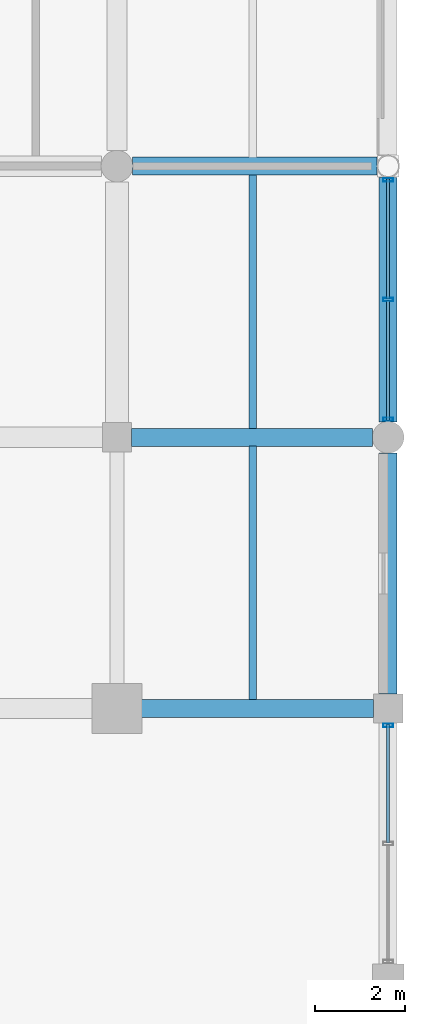
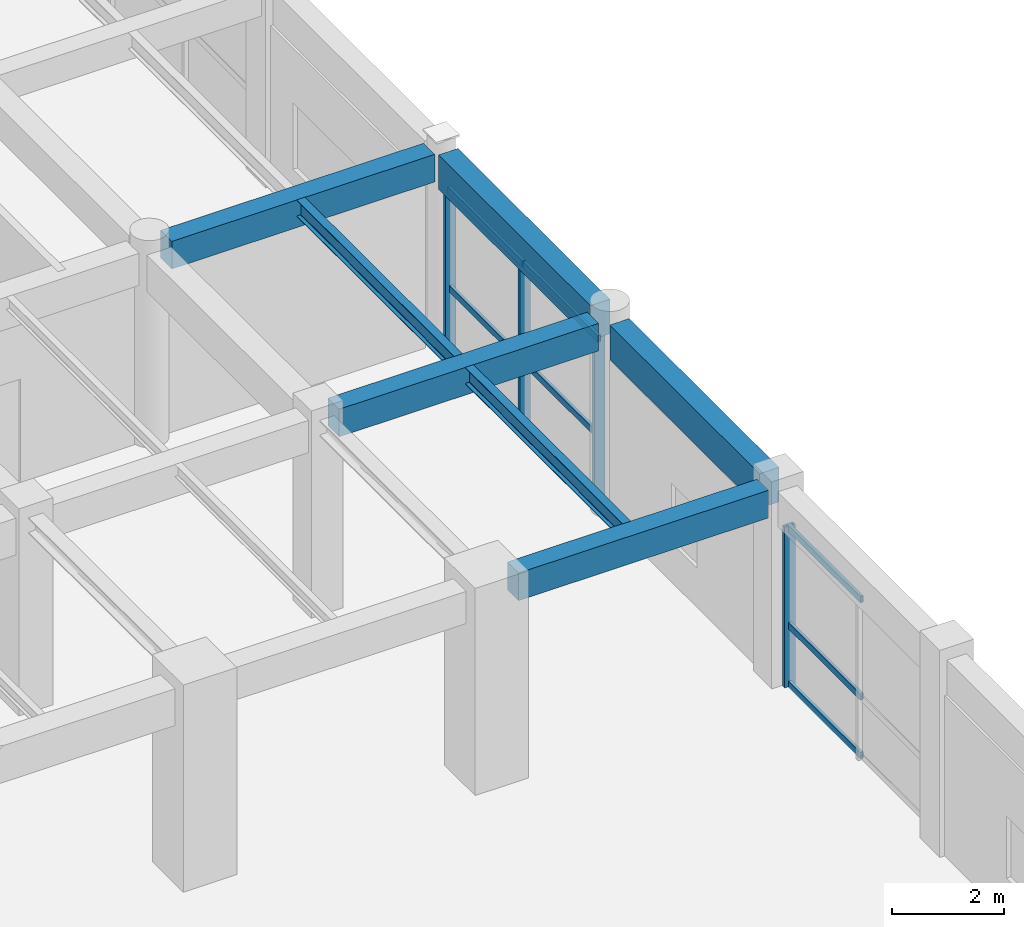
# One storey, part 64 of 116: 13 members, 7 beams, 2 elements without a shape of their own.
"""IFC4 building model written with IfcOpenShell, lengths in metres."""

from ifc_helpers import new_model, si_unit, direction, frame, origin, origin_2d, place, context, subcontext, project, spatial, rectangle, hollow_rectangle, i_section, extrude, material, material_profile, profile_set, type_object, element, aggregate, save


model = new_model("IFC4")

# Units and contexts
model_context = context("Model", 3, precision=1e-05, world=origin(), true_north=direction((0.0, 1.0)))
body_context = subcontext(model_context, "Body", "Model", "MODEL_VIEW")
ifc_project = project(units=[si_unit("LENGTHUNIT", "METRE"), si_unit("AREAUNIT", "SQUARE_METRE"), si_unit("VOLUMEUNIT", "CUBIC_METRE"), si_unit("PLANEANGLEUNIT", "RADIAN"), si_unit("MASSUNIT", "GRAM", prefix="KILO"), si_unit("THERMODYNAMICTEMPERATUREUNIT", "KELVIN"), si_unit("POWERUNIT", "WATT")], contexts=[model_context])

# Site, building, storey
site_placement = place(None, origin())
site = spatial("IfcSite", under=ifc_project, at=site_placement, CompositionType="ELEMENT")
building_placement = place(site_placement, origin())
building = spatial("IfcBuilding", under=site, at=building_placement, Name="Phaisarnlok Congress Hotel", CompositionType="ELEMENT")
storey_placement = place(building_placement, frame((0.0, 0.0, 10.5)))
storey = spatial("IfcBuildingStorey", under=building, at=storey_placement, Name="L02", CompositionType="ELEMENT", Elevation=10.5)

# Beams
ifc_material_1 = material(Name="Concrete C40/50", Category="concrete")
ifc_material_profile_1 = material_profile(ifc_material_1, rectangle(XDim=0.39990234375, YDim=0.60009765625, at=origin_2d()), Name="RC 400x600")
ifc_profile_set_1 = profile_set([ifc_material_profile_1], Name="Concrete C40/50")
beam_type_1 = type_object("IfcBeamType", Name="BM-RC-400x600", PredefinedType="BEAM", material=ifc_profile_set_1)
beam_1_placement = place(storey_placement, frame((174.544921875, 66.0, 3.93994140625), z_axis=(1.0, 0.0, 0.0), x_axis=(0.0, 1.0, 0.0)))
element("IfcBeam", 1, at=beam_1_placement, inside=storey, type_object=beam_type_1, Name="Beam B-02", PredefinedType="BEAM", context=body_context, shape_type="SweptSolid", body=[
    extrude(rectangle(XDim=0.39990234375, YDim=0.60009765625, at=origin_2d()), origin(), (0.0, 0.0, 1.0), 5.135009765625),
])
beam_2_placement = place(storey_placement, frame((174.320068359375, 72.0, 3.93994140625), z_axis=(1.0, 0.0, 0.0), x_axis=(0.0, 1.0, 0.0)))
element("IfcBeam", 2, at=beam_2_placement, inside=storey, type_object=beam_type_1, Name="Beam B-02", PredefinedType="BEAM", context=body_context, shape_type="SweptSolid", body=[
    extrude(rectangle(XDim=0.39990234375, YDim=0.60009765625, at=origin_2d()), origin(), (0.0, 0.0, 1.0), 5.3349609375),
])
beam_3_placement = place(storey_placement, frame((174.344970703125, 78.0, 3.93994140625), z_axis=(1.0, 0.0, 0.0), x_axis=(0.0, 1.0, 0.0)))
element("IfcBeam", 3, at=beam_3_placement, inside=storey, type_object=beam_type_1, Name="Beam B-02", PredefinedType="BEAM", context=body_context, shape_type="SweptSolid", body=[
    extrude(rectangle(XDim=0.39990234375, YDim=0.60009765625, at=origin_2d()), origin(), (0.0, 0.0, 1.0), 5.406005859375),
])

# Curtain wall, member
ifc_material_2 = material(Name="Thermally Broken Unitised Aluminium & Low-E Glazing", Category="aluminium")
curtain_wall_type_1 = type_object("IfcCurtainWallType", Name="CW-UNIT-16", PredefinedType="NOTDEFINED", material=ifc_material_2)
curtain_wall_1_placement = place(storey_placement, origin())
curtain_wall_1 = element("IfcCurtainWall", 4, at=curtain_wall_1_placement, inside=storey, type_object=curtain_wall_type_1, Name="Unitised curtain wall CW-16 (L02)", PredefinedType="NOTDEFINED")
ifc_material_3 = material(Name="Anodised Aluminium Alloy 6063-T6", Category="aluminium")
ifc_material_profile_2 = material_profile(ifc_material_3, hollow_rectangle(XDim=0.074951171875, YDim=0.219970703125, WallThickness=0.0048828125, at=origin_2d()), Name="ALU-M 75x220x5")
ifc_profile_set_2 = profile_set([ifc_material_profile_2], Name="Anodised Aluminium Alloy 6063-T6")
member_type_1 = type_object("IfcMemberType", Name="CWM-220", PredefinedType="MULLION", material=ifc_profile_set_2)
member_1_placement = place(storey_placement, frame((180.0, 65.625, 0.0), z_axis=(0.0, 0.0, 1.0), x_axis=(0.0, 1.0, 0.0)))
member_1 = element("IfcMember", 5, at=member_1_placement, type_object=member_type_1, Name="Curtain wall mullion CWM-02", PredefinedType="MULLION", context=body_context, shape_type="SweptSolid", body=[
    extrude(hollow_rectangle(XDim=0.074951171875, YDim=0.219970703125, WallThickness=0.0048828125, at=origin_2d()), origin(), (0.0, 0.0, 1.0), 3.489990234375),
])

# Curtain wall, members
curtain_wall_type_2 = type_object("IfcCurtainWallType", Name="CW-UNIT-17", PredefinedType="NOTDEFINED", material=ifc_material_2)
curtain_wall_2_placement = place(storey_placement, origin())
curtain_wall_2 = element("IfcCurtainWall", 6, at=curtain_wall_2_placement, inside=storey, type_object=curtain_wall_type_2, Name="Unitised curtain wall CW-17 (L02)", PredefinedType="NOTDEFINED")
member_2_placement = place(storey_placement, frame((180.0, 72.39990234375, 0.0), z_axis=(0.0, 0.0, 1.0), x_axis=(0.0, 1.0, 0.0)))
member_2 = element("IfcMember", 7, at=member_2_placement, type_object=member_type_1, Name="Curtain wall mullion CWM-02", PredefinedType="MULLION", context=body_context, shape_type="SweptSolid", body=[
    extrude(hollow_rectangle(XDim=0.074951171875, YDim=0.219970703125, WallThickness=0.0048828125, at=origin_2d()), origin(), (0.0, 0.0, 1.0), 3.489990234375),
])
member_3_placement = place(storey_placement, frame((180.0, 75.048095703125, 0.0), z_axis=(0.0, 0.0, 1.0), x_axis=(0.0, 1.0, 0.0)))
member_3 = element("IfcMember", 8, at=member_3_placement, type_object=member_type_1, Name="Curtain wall mullion CWM-02", PredefinedType="MULLION", context=body_context, shape_type="SweptSolid", body=[
    extrude(hollow_rectangle(XDim=0.074951171875, YDim=0.219970703125, WallThickness=0.0048828125, at=origin_2d()), origin(), (0.0, 0.0, 1.0), 3.489990234375),
])
member_4_placement = place(storey_placement, frame((180.0, 77.696044921875, 0.0), z_axis=(0.0, 0.0, 1.0), x_axis=(0.0, 1.0, 0.0)))
member_4 = element("IfcMember", 9, at=member_4_placement, type_object=member_type_1, Name="Curtain wall mullion CWM-02", PredefinedType="MULLION", context=body_context, shape_type="SweptSolid", body=[
    extrude(hollow_rectangle(XDim=0.074951171875, YDim=0.219970703125, WallThickness=0.0048828125, at=origin_2d()), origin(), (0.0, 0.0, 1.0), 3.489990234375),
])

# Member
ifc_material_profile_3 = material_profile(ifc_material_3, hollow_rectangle(XDim=0.06494140625, YDim=0.139892578125, WallThickness=0.00390625, at=origin_2d()), Name="ALU-T 65x140x4")
ifc_profile_set_3 = profile_set([ifc_material_profile_3], Name="Anodised Aluminium Alloy 6063-T6")
member_type_2 = type_object("IfcMemberType", Name="CWT-150", PredefinedType="USERDEFINED", material=ifc_profile_set_3)
member_5_placement = place(storey_placement, frame((180.0, 63.027587890625, 0.050048828125), z_axis=(0.0, 1.0, 0.0), x_axis=(-1.0, 0.0, 0.0)))
member_5 = element("IfcMember", 10, at=member_5_placement, type_object=member_type_2, Name="Curtain wall transom CWT-01", ObjectType="TRANSOM", PredefinedType="USERDEFINED", context=body_context, shape_type="SweptSolid", body=[
    extrude(hollow_rectangle(XDim=0.06494140625, YDim=0.139892578125, WallThickness=0.00390625, at=origin_2d()), origin(), (0.0, 0.0, 1.0), 2.622314453125),
])

member_6_placement = place(storey_placement, frame((180.0, 63.027587890625, 1.326171875), z_axis=(0.0, 1.0, 0.0), x_axis=(-1.0, 0.0, 0.0)))
member_6 = element("IfcMember", 11, at=member_6_placement, type_object=member_type_2, Name="Curtain wall transom CWT-01", ObjectType="TRANSOM", PredefinedType="USERDEFINED", context=body_context, shape_type="SweptSolid", body=[
    extrude(hollow_rectangle(XDim=0.06494140625, YDim=0.139892578125, WallThickness=0.00390625, at=origin_2d()), origin(), (0.0, 0.0, 1.0), 2.622314453125),
])

member_7_placement = place(storey_placement, frame((180.0, 63.027587890625, 3.43994140625), z_axis=(0.0, 1.0, 0.0), x_axis=(-1.0, 0.0, 0.0)))
member_7 = element("IfcMember", 12, at=member_7_placement, type_object=member_type_2, Name="Curtain wall transom CWT-01", ObjectType="TRANSOM", PredefinedType="USERDEFINED", context=body_context, shape_type="SweptSolid", body=[
    extrude(hollow_rectangle(XDim=0.06494140625, YDim=0.139892578125, WallThickness=0.00390625, at=origin_2d()), origin(), (0.0, 0.0, 1.0), 2.622314453125),
])

aggregate(curtain_wall_1, [member_1, member_5, member_6, member_7])

member_8_placement = place(storey_placement, frame((180.0, 72.375, 0.050048828125), z_axis=(0.0, 1.0, 0.0), x_axis=(-1.0, 0.0, 0.0)))
member_8 = element("IfcMember", 13, at=member_8_placement, type_object=member_type_2, Name="Curtain wall transom CWT-01", ObjectType="TRANSOM", PredefinedType="USERDEFINED", context=body_context, shape_type="SweptSolid", body=[
    extrude(hollow_rectangle(XDim=0.06494140625, YDim=0.139892578125, WallThickness=0.00390625, at=origin_2d()), origin(), (0.0, 0.0, 1.0), 2.657958984375),
])

member_9_placement = place(storey_placement, frame((180.0, 72.375, 1.326171875), z_axis=(0.0, 1.0, 0.0), x_axis=(-1.0, 0.0, 0.0)))
member_9 = element("IfcMember", 14, at=member_9_placement, type_object=member_type_2, Name="Curtain wall transom CWT-01", ObjectType="TRANSOM", PredefinedType="USERDEFINED", context=body_context, shape_type="SweptSolid", body=[
    extrude(hollow_rectangle(XDim=0.06494140625, YDim=0.139892578125, WallThickness=0.00390625, at=origin_2d()), origin(), (0.0, 0.0, 1.0), 2.657958984375),
])

member_10_placement = place(storey_placement, frame((180.0, 72.375, 3.43994140625), z_axis=(0.0, 1.0, 0.0), x_axis=(-1.0, 0.0, 0.0)))
member_10 = element("IfcMember", 15, at=member_10_placement, type_object=member_type_2, Name="Curtain wall transom CWT-01", ObjectType="TRANSOM", PredefinedType="USERDEFINED", context=body_context, shape_type="SweptSolid", body=[
    extrude(hollow_rectangle(XDim=0.06494140625, YDim=0.139892578125, WallThickness=0.00390625, at=origin_2d()), origin(), (0.0, 0.0, 1.0), 2.657958984375),
])

member_11_placement = place(storey_placement, frame((180.0, 75.06298828125, 0.050048828125), z_axis=(0.0, 1.0, 0.0), x_axis=(-1.0, 0.0, 0.0)))
member_11 = element("IfcMember", 16, at=member_11_placement, type_object=member_type_2, Name="Curtain wall transom CWT-01", ObjectType="TRANSOM", PredefinedType="USERDEFINED", context=body_context, shape_type="SweptSolid", body=[
    extrude(hollow_rectangle(XDim=0.06494140625, YDim=0.139892578125, WallThickness=0.00390625, at=origin_2d()), origin(), (0.0, 0.0, 1.0), 2.657958984375),
])

member_12_placement = place(storey_placement, frame((180.0, 75.06298828125, 1.326171875), z_axis=(0.0, 1.0, 0.0), x_axis=(-1.0, 0.0, 0.0)))
member_12 = element("IfcMember", 17, at=member_12_placement, type_object=member_type_2, Name="Curtain wall transom CWT-01", ObjectType="TRANSOM", PredefinedType="USERDEFINED", context=body_context, shape_type="SweptSolid", body=[
    extrude(hollow_rectangle(XDim=0.06494140625, YDim=0.139892578125, WallThickness=0.00390625, at=origin_2d()), origin(), (0.0, 0.0, 1.0), 2.657958984375),
])

member_13_placement = place(storey_placement, frame((180.0, 75.06298828125, 3.43994140625), z_axis=(0.0, 1.0, 0.0), x_axis=(-1.0, 0.0, 0.0)))
member_13 = element("IfcMember", 18, at=member_13_placement, type_object=member_type_2, Name="Curtain wall transom CWT-01", ObjectType="TRANSOM", PredefinedType="USERDEFINED", context=body_context, shape_type="SweptSolid", body=[
    extrude(hollow_rectangle(XDim=0.06494140625, YDim=0.139892578125, WallThickness=0.00390625, at=origin_2d()), origin(), (0.0, 0.0, 1.0), 2.657958984375),
])

aggregate(curtain_wall_2, [member_2, member_3, member_4, member_8, member_9, member_10, member_11, member_12, member_13])

# Beams
ifc_material_4 = material(Name="Steel S355", Category="steel")
ifc_material_profile_4 = material_profile(ifc_material_4, i_section(OverallWidth=0.169921875, OverallDepth=0.360107421875, WebThickness=0.008056640625, FlangeThickness=0.0126953125, FilletRadius=0.01806640625, at=origin_2d()), Name="IPE 360")
ifc_profile_set_4 = profile_set([ifc_material_profile_4], Name="Steel S355")
beam_type_2 = type_object("IfcBeamType", Name="JS-STL-IPE360", PredefinedType="JOIST", material=ifc_profile_set_4)
for number, where, z_axis, x_axis, name in (
    (19, (177.0, 66.195068359375, 4.06005859375), (0.0, 1.0, 0.0), (-1.0, 0.0, 0.0), "Secondary floor joist J-04"),
    (20, (177.0, 72.195068359375, 4.06005859375), (0.0, 1.0, 0.0), (-1.0, 0.0, 0.0), "Secondary floor joist J-04"),
):
    element("IfcBeam", number, at=place(storey_placement, frame(where, z_axis=z_axis, x_axis=x_axis)), inside=storey, type_object=beam_type_2, Name=name, PredefinedType="JOIST", context=body_context, shape_type="SweptSolid", body=[
        extrude(i_section(OverallWidth=0.169921875, OverallDepth=0.360107421875, WebThickness=0.008056640625, FlangeThickness=0.0126953125, FilletRadius=0.01806640625, at=origin_2d()), origin(), (0.0, 0.0, 1.0), 5.60986328125),
    ])
ifc_material_profile_5 = material_profile(ifc_material_1, rectangle(XDim=0.39990234375, YDim=0.75, at=origin_2d()), Name="RC 400x750")
ifc_profile_set_5 = profile_set([ifc_material_profile_5], Name="Concrete C40/50")
beam_type_3 = type_object("IfcBeamType", Name="SP-RC-400x750", PredefinedType="SPANDREL", material=ifc_profile_set_5)
beam_4_placement = place(storey_placement, frame((180.0, 66.320068359375, 3.864990234375), z_axis=(0.0, 1.0, 0.0), x_axis=(-1.0, 0.0, 0.0)))
element("IfcBeam", 21, at=beam_4_placement, inside=storey, type_object=beam_type_3, Name="Beam SP-02", PredefinedType="SPANDREL", context=body_context, shape_type="SweptSolid", body=[
    extrude(rectangle(XDim=0.39990234375, YDim=0.75, at=origin_2d()), origin(), (0.0, 0.0, 1.0), 5.3349609375),
])
beam_5_placement = place(storey_placement, frame((180.0, 72.344970703125, 3.864990234375), z_axis=(0.0, 1.0, 0.0), x_axis=(-1.0, 0.0, 0.0)))
element("IfcBeam", 22, at=beam_5_placement, inside=storey, type_object=beam_type_3, Name="Beam SP-02", PredefinedType="SPANDREL", context=body_context, shape_type="SweptSolid", body=[
    extrude(rectangle(XDim=0.39990234375, YDim=0.75, at=origin_2d()), origin(), (0.0, 0.0, 1.0), 5.406005859375),
])

save(model, "model.ifc")
